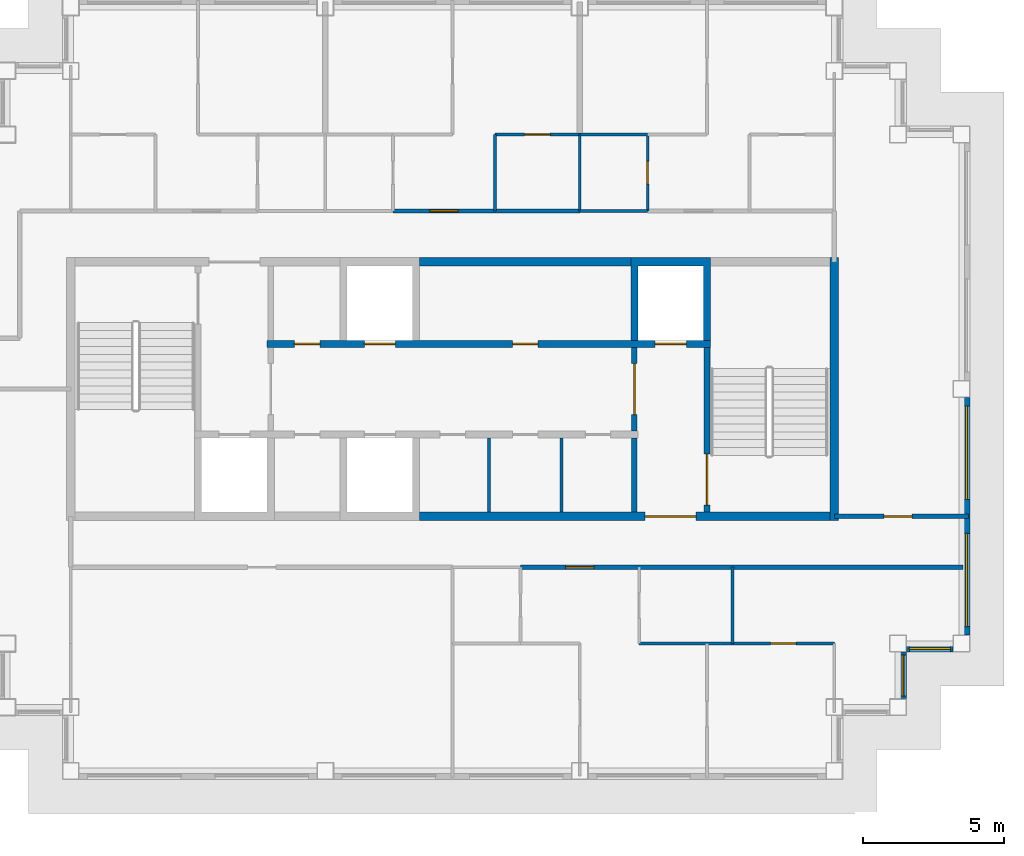
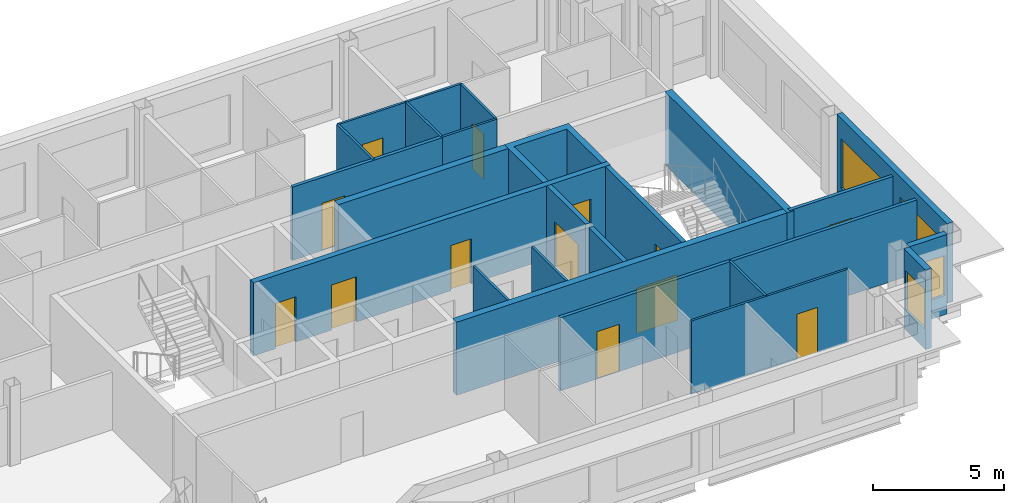
# One storey, part 5 of 11: 24 walls, 13 doors, 4 windows, 17 openings.
"""IFC4 building model written with IfcOpenShell, lengths in metres."""

from ifc_helpers import new_model, si_unit, direction, frame, frame_2d, origin, place, context, subcontext, project, spatial, polyline, rectangle, outline, extrude, material, layer, layer_set, type_object, element, fill, save


model = new_model("IFC4")

# Units and contexts
model_context = context("Model", 3, precision=1e-05, world=origin(), true_north=direction((0.0, 1.0)))
body_context = subcontext(model_context, "Body", "Model", "MODEL_VIEW")
ifc_project = project(units=[si_unit("LENGTHUNIT", "METRE"), si_unit("AREAUNIT", "SQUARE_METRE"), si_unit("VOLUMEUNIT", "CUBIC_METRE"), si_unit("PLANEANGLEUNIT", "RADIAN"), si_unit("MASSUNIT", "GRAM", prefix="KILO")], contexts=[model_context])

# Site, building, storey
site_placement = place(None, origin())
site = spatial("IfcSite", under=ifc_project, at=site_placement, CompositionType="ELEMENT")
building_placement = place(site_placement, origin())
building = spatial("IfcBuilding", under=site, at=building_placement, Name="Caravel Reach Hotel and Residences", CompositionType="ELEMENT")
storey_placement = place(building_placement, frame((0.0, 0.0, 271.199951171875)))
storey = spatial("IfcBuildingStorey", under=building, at=storey_placement, Name="L69", CompositionType="ELEMENT", Elevation=271.199951171875)

# Walls
ifc_material_1 = material(Name="Gypsum board on steel stud", Category="steel")
ifc_layer_1 = layer(ifc_material_1, 0.10009765625)
ifc_layer_set_1 = layer_set([ifc_layer_1], Name="Bathroom pod wall 100 mm")
wall_type_1 = type_object("IfcWallType", Name="Bathroom pod wall 100 mm", PredefinedType="PARTITIONING", material=ifc_layer_set_1)
for number, where, z_axis, x_axis, name in (
    (1, (36.0, 33.300048828125, 0.0), (0.0, 0.0, 1.0), (1.0, 0.0, 0.0), "L69 wall w059"),
    (2, (36.0, 36.0, 0.0), (0.0, 0.0, 1.0), (1.0, 0.0, 0.0), "L69 wall w062"),
):
    element("IfcWall", number, at=place(storey_placement, frame(where, z_axis=z_axis, x_axis=x_axis)), inside=storey, type_object=wall_type_1, Name=name, PredefinedType="PARTITIONING", context=body_context, shape_type="SweptSolid", body=[
        extrude(rectangle(XDim=2.39990234375, YDim=0.10009765625, at=frame_2d((1.199951171875, 0.0))), origin(), (0.0, 0.0, 1.0), 3.400146484375),
    ])
wall_1_placement = place(storey_placement, frame((36.0, 33.300048828125, 0.0), z_axis=(0.0, 0.0, 1.0), x_axis=(0.0, 1.0, 0.0)))
element("IfcWall", 3, at=wall_1_placement, inside=storey, type_object=wall_type_1, Name="L69 wall w068", PredefinedType="PARTITIONING", context=body_context, shape_type="SweptSolid", body=[
    extrude(rectangle(XDim=2.699951171875, YDim=0.10009765625, at=frame_2d((1.35009765625, 0.0))), origin(), (0.0, 0.0, 1.0), 3.400146484375),
])

# Wall, opening, door
wall_2_placement = place(storey_placement, frame((38.39990234375, 33.300048828125, 0.0), z_axis=(0.0, 0.0, 1.0), x_axis=(0.0, 1.0, 0.0)))
wall_2 = element("IfcWall", 4, at=wall_2_placement, inside=storey, type_object=wall_type_1, Name="L69 wall w069", PredefinedType="PARTITIONING", context=body_context, shape_type="SweptSolid", body=[
    extrude(rectangle(XDim=2.699951171875, YDim=0.10009765625, at=frame_2d((1.35009765625, 0.0))), origin(), (0.0, 0.0, 1.0), 3.400146484375),
])
opening_1_placement = place(wall_2_placement, frame((0.949951171875, 0.0, 0.0)))
opening_1 = element("IfcOpeningElement", 5, at=opening_1_placement, cuts=wall_2, Name="Opening D69-026", PredefinedType="OPENING", context=body_context, shape_type="SweptSolid", body=[
    extrude(rectangle(XDim=0.800048828125, YDim=2.10009765625, at=frame_2d((0.39990234375, 1.050048828125))), frame((0.0, 0.06005859375, 0.0), z_axis=(0.0, -1.0, 0.0), x_axis=(1.0, 0.0, 0.0)), (0.0, 0.0, 1.0), 0.1201171875),
])
ifc_material_2 = material(Name="Timber and steel door leaf", Category="steel")
door_type_1 = type_object("IfcDoorType", Name="Bathroom door 800 x 2100", OperationType="SINGLE_SWING_LEFT", PredefinedType="DOOR", material=ifc_material_2)
door_1_placement = place(opening_1_placement, origin())
door_1 = element("IfcDoor", 6, at=door_1_placement, inside=storey, type_object=door_type_1, Name="door D69-026", OperationType="SINGLE_SWING_RIGHT", OverallHeight=2.10009765625, OverallWidth=0.800048828125, PredefinedType="DOOR", context=body_context, shape_type="SweptSolid", body=[
    extrude(rectangle(XDim=0.800048828125, YDim=2.10009765625, at=frame_2d((0.39990234375, 1.050048828125))), frame((0.0, 0.02490234375, 0.0), z_axis=(0.0, -1.0, 0.0), x_axis=(1.0, 0.0, 0.0)), (0.0, 0.0, 1.0), 0.050048828125),
])
fill(opening_1, door_1)

# Wall
ifc_material_3 = material(Name="Autoclaved aerated block wall")
ifc_layer_2 = layer(ifc_material_3, 0.199951171875)
ifc_layer_set_2 = layer_set([ifc_layer_2], Name="Compartment wall 200 mm EI 120")
wall_type_2 = type_object("IfcWallType", Name="Compartment wall 200 mm EI 120", PredefinedType="PARTITIONING", material=ifc_layer_set_2)
wall_3_placement = place(storey_placement, frame((37.928466796875, 22.64990234375, 0.0), z_axis=(0.0, 0.0, 1.0), x_axis=(0.0, 1.0, 0.0)))
element("IfcWall", 7, at=wall_3_placement, inside=storey, type_object=wall_type_2, Name="L69 store partition", PredefinedType="PARTITIONING", context=body_context, shape_type="SweptSolid", body=[
    extrude(rectangle(XDim=2.625, YDim=0.199951171875, at=frame_2d((1.3125, 0.0))), origin(), (0.0, 0.0, 1.0), 3.400146484375),
])

# Wall, opening, door
ifc_material_4 = material(Name="Concrete C60", Category="concrete")
ifc_layer_3 = layer(ifc_material_4, 0.300048828125)
ifc_layer_set_3 = layer_set([ifc_layer_3], Name="Core wall 300 mm EI 120")
wall_type_3 = type_object("IfcWallType", Name="Core wall 300 mm EI 120", PredefinedType="SHEAR", material=ifc_layer_set_3)
wall_4_placement = place(storey_placement, frame((30.33935546875, 22.5, 0.0), z_axis=(0.0, 0.0, 1.0), x_axis=(1.0, 0.0, 0.0)))
wall_4 = element("IfcWall", 8, at=wall_4_placement, inside=storey, type_object=wall_type_3, Name="L69 core wall S3", PredefinedType="SHEAR", context=body_context, shape_type="SweptSolid", body=[
    extrude(rectangle(XDim=14.5107421875, YDim=0.300048828125, at=frame_2d((7.25537109375, 0.0))), origin(), (0.0, 0.0, 1.0), 3.400146484375),
])
opening_2_placement = place(wall_4_placement, frame((7.97509765625, 0.0, 0.0)))
opening_2 = element("IfcOpeningElement", 9, at=opening_2_placement, cuts=wall_4, Name="Opening D69-016", PredefinedType="OPENING", context=body_context, shape_type="SweptSolid", body=[
    extrude(rectangle(XDim=1.800048828125, YDim=2.10009765625, at=frame_2d((0.89990234375, 1.050048828125))), frame((0.0, 0.159912109375, 0.0), z_axis=(0.0, -1.0, 0.0), x_axis=(1.0, 0.0, 0.0)), (0.0, 0.0, 1.0), 0.320068359375),
])
ifc_material_5 = material(Name="Steel fire door leaf", Category="steel")
door_type_2 = type_object("IfcDoorType", Name="Fire lobby door pair 1800 x 2100 EI 90", OperationType="DOUBLE_DOOR_SINGLE_SWING", PredefinedType="DOOR", material=ifc_material_5)
door_2_placement = place(opening_2_placement, origin())
door_2 = element("IfcDoor", 10, at=door_2_placement, inside=storey, type_object=door_type_2, Name="lobby S door pair to corridor", OperationType="DOUBLE_DOOR_SINGLE_SWING", OverallHeight=2.10009765625, OverallWidth=1.800048828125, PredefinedType="DOOR", context=body_context, shape_type="SweptSolid", body=[
    extrude(rectangle(XDim=1.800048828125, YDim=2.10009765625, at=frame_2d((0.89990234375, 1.050048828125))), frame((0.0, 0.02490234375, 0.0), z_axis=(0.0, -1.0, 0.0), x_axis=(1.0, 0.0, 0.0)), (0.0, 0.0, 1.0), 0.050048828125),
])
fill(opening_2, door_2)

# Walls
wall_5_placement = place(storey_placement, frame((30.33935546875, 31.5, 0.0), z_axis=(0.0, 0.0, 1.0), x_axis=(1.0, 0.0, 0.0)))
element("IfcWall", 11, at=wall_5_placement, inside=storey, type_object=wall_type_3, Name="L69 core wall N2", PredefinedType="SHEAR", context=body_context, shape_type="SweptSolid", body=[
    extrude(rectangle(XDim=7.464111328125, YDim=0.300048828125, at=frame_2d((3.73193359375, 0.0))), origin(), (0.0, 0.0, 1.0), 3.400146484375),
])
wall_6_placement = place(storey_placement, frame((45.0, 22.35009765625, 0.0), z_axis=(0.0, 0.0, 1.0), x_axis=(0.0, 1.0, 0.0)))
element("IfcWall", 12, at=wall_6_placement, inside=storey, type_object=wall_type_3, Name="L69 core wall E", PredefinedType="SHEAR", context=body_context, shape_type="SweptSolid", body=[
    extrude(rectangle(XDim=9.2998046875, YDim=0.300048828125, at=frame_2d((4.64990234375, 0.0))), origin(), (0.0, 0.0, 1.0), 3.400146484375),
])

# Wall, opening, door
ifc_material_6 = material(Name="Gypsum board on steel stud, fire-rated", Category="steel")
ifc_layer_4 = layer(ifc_material_6, 0.14990234375)
ifc_layer_set_4 = layer_set([ifc_layer_4], Name="Corridor wall 150 mm EI 60")
wall_type_4 = type_object("IfcWallType", Name="Corridor wall 150 mm EI 60", PredefinedType="PARTITIONING", material=ifc_layer_set_4)
wall_7_placement = place(storey_placement, frame((33.89990234375, 20.699951171875, 0.0), z_axis=(0.0, 0.0, 1.0), x_axis=(1.0, 0.0, 0.0)))
wall_7 = element("IfcWall", 13, at=wall_7_placement, inside=storey, type_object=wall_type_4, Name="L69 wall w002", PredefinedType="PARTITIONING", context=body_context, shape_type="SweptSolid", body=[
    extrude(rectangle(XDim=15.650146484375, YDim=0.14990234375, at=frame_2d((7.8251953125, 0.0))), origin(), (0.0, 0.0, 1.0), 3.400146484375),
])
opening_3_placement = place(wall_7_placement, frame((1.60009765625, 0.0, 0.0)))
opening_3 = element("IfcOpeningElement", 14, at=opening_3_placement, cuts=wall_7, Name="Opening D69-032", PredefinedType="OPENING", context=body_context, shape_type="SweptSolid", body=[
    extrude(rectangle(XDim=1.0, YDim=2.199951171875, at=frame_2d((0.5, 1.10009765625))), frame((0.0, 0.0849609375, 0.0), z_axis=(0.0, -1.0, 0.0), x_axis=(1.0, 0.0, 0.0)), (0.0, 0.0, 1.0), 0.169921875),
])
ifc_material_7 = material(Name="Steel fire door leaf", Category="steel")
door_type_3 = type_object("IfcDoorType", Name="Flat entrance door 1000 x 2200 EI 60", OperationType="SINGLE_SWING_LEFT", PredefinedType="DOOR", material=ifc_material_7)
door_3_placement = place(opening_3_placement, origin())
door_3 = element("IfcDoor", 15, at=door_3_placement, inside=storey, type_object=door_type_3, Name="door D69-032", OperationType="SINGLE_SWING_LEFT", OverallHeight=2.199951171875, OverallWidth=1.0, PredefinedType="DOOR", context=body_context, shape_type="SweptSolid", body=[
    extrude(rectangle(XDim=1.0, YDim=2.199951171875, at=frame_2d((0.5, 1.10009765625))), frame((0.0, 0.02490234375, 0.0), z_axis=(0.0, -1.0, 0.0), x_axis=(1.0, 0.0, 0.0)), (0.0, 0.0, 1.0), 0.050048828125),
])
fill(opening_3, door_3)

wall_8_placement = place(storey_placement, frame((45.0, 22.5, 0.0), z_axis=(0.0, 0.0, 1.0), x_axis=(1.0, 0.0, 0.0)))
wall_8 = element("IfcWall", 16, at=wall_8_placement, inside=storey, type_object=wall_type_4, Name="L69 wall w006", PredefinedType="PARTITIONING", context=body_context, shape_type="SweptSolid", body=[
    extrude(rectangle(XDim=4.739990234375, YDim=0.14990234375, at=frame_2d((2.3701171875, 0.0))), origin(), (0.0, 0.0, 1.0), 3.400146484375),
])
opening_4_placement = place(wall_8_placement, frame((1.75, 0.0, 0.0)))
opening_4 = element("IfcOpeningElement", 17, at=opening_4_placement, cuts=wall_8, Name="Opening D69-039", PredefinedType="OPENING", context=body_context, shape_type="SweptSolid", body=[
    extrude(rectangle(XDim=1.0, YDim=2.10009765625, at=frame_2d((0.5, 1.050048828125))), frame((0.0, 0.0849609375, 0.0), z_axis=(0.0, -1.0, 0.0), x_axis=(1.0, 0.0, 0.0)), (0.0, 0.0, 1.0), 0.169921875),
])
ifc_material_8 = material(Name="Steel fire door leaf", Category="steel")
door_type_4 = type_object("IfcDoorType", Name="Fire door 1000 x 2100 EI 60", OperationType="SINGLE_SWING_LEFT", PredefinedType="DOOR", material=ifc_material_8)
door_4_placement = place(opening_4_placement, origin())
door_4 = element("IfcDoor", 18, at=door_4_placement, inside=storey, type_object=door_type_4, Name="door D69-039", OperationType="SINGLE_SWING_LEFT", OverallHeight=2.10009765625, OverallWidth=1.0, PredefinedType="DOOR", context=body_context, shape_type="SweptSolid", body=[
    extrude(rectangle(XDim=1.0, YDim=2.10009765625, at=frame_2d((0.5, 1.050048828125))), frame((0.0, 0.02490234375, 0.0), z_axis=(0.0, -1.0, 0.0), x_axis=(1.0, 0.0, 0.0)), (0.0, 0.0, 1.0), 0.050048828125),
])
fill(opening_4, door_4)

wall_9_placement = place(storey_placement, frame((29.39990234375, 33.300048828125, 0.0), z_axis=(0.0, 0.0, 1.0), x_axis=(1.0, 0.0, 0.0)))
wall_9 = element("IfcWall", 19, at=wall_9_placement, inside=storey, type_object=wall_type_4, Name="L69 wall w012", PredefinedType="PARTITIONING", context=body_context, shape_type="SweptSolid", body=[
    extrude(rectangle(XDim=6.60009765625, YDim=0.14990234375, at=frame_2d((3.300048828125, 0.0))), origin(), (0.0, 0.0, 1.0), 3.400146484375),
])
opening_5_placement = place(wall_9_placement, frame((1.300048828125, 0.0, 0.0)))
opening_5 = element("IfcOpeningElement", 20, at=opening_5_placement, cuts=wall_9, Name="Opening D69-021", PredefinedType="OPENING", context=body_context, shape_type="SweptSolid", body=[
    extrude(rectangle(XDim=1.0, YDim=2.199951171875, at=frame_2d((0.5, 1.10009765625))), frame((0.0, 0.0849609375, 0.0), z_axis=(0.0, -1.0, 0.0), x_axis=(1.0, 0.0, 0.0)), (0.0, 0.0, 1.0), 0.169921875),
])
door_5_placement = place(opening_5_placement, origin())
door_5 = element("IfcDoor", 21, at=door_5_placement, inside=storey, type_object=door_type_3, Name="door D69-021", OperationType="SINGLE_SWING_LEFT", OverallHeight=2.199951171875, OverallWidth=1.0, PredefinedType="DOOR", context=body_context, shape_type="SweptSolid", body=[
    extrude(rectangle(XDim=1.0, YDim=2.199951171875, at=frame_2d((0.5, 1.10009765625))), frame((0.0, 0.02490234375, 0.0), z_axis=(0.0, -1.0, 0.0), x_axis=(1.0, 0.0, 0.0)), (0.0, 0.0, 1.0), 0.050048828125),
])
fill(opening_5, door_5)

# Wall, opening, window
ifc_material_9 = material(Name="Insulated rainscreen wall, aluminium cladding", Category="aluminium")
ifc_layer_5 = layer(ifc_material_9, 0.25)
ifc_layer_set_5 = layer_set([ifc_layer_5], Name="EW1 Tower rainscreen wall")
wall_type_5 = type_object("IfcWallType", Name="EW1 Tower rainscreen wall", PredefinedType="SOLIDWALL", material=ifc_layer_set_5)
wall_10_placement = place(storey_placement, frame((47.425048828125, 16.050048828125, 0.0), z_axis=(0.0, 0.0, 1.0), x_axis=(0.0, 1.0, 0.0)))
wall_10 = element("IfcWall", 22, at=wall_10_placement, inside=storey, type_object=wall_type_5, Name="External wall L69 E7.1", PredefinedType="SOLIDWALL", context=body_context, shape_type="SweptSolid", body=[
    extrude(rectangle(XDim=1.64990234375, YDim=0.25, at=frame_2d((0.824951171875, 0.0))), origin(), (0.0, 0.0, 1.0), 3.699951171875),
])
opening_6_placement = place(wall_10_placement, frame((0.10009765625, 0.0, 0.89990234375)))
opening_6 = element("IfcOpeningElement", 23, at=opening_6_placement, cuts=wall_10, Name="Opening WN25", PredefinedType="OPENING", context=body_context, shape_type="SweptSolid", body=[
    extrude(rectangle(XDim=1.449951171875, YDim=1.85009765625, at=frame_2d((0.72509765625, 0.925048828125))), frame((0.0, 0.135009765625, 0.0), z_axis=(0.0, -1.0, 0.0), x_axis=(1.0, 0.0, 0.0)), (0.0, 0.0, 1.0), 0.27001953125),
])
ifc_material_10 = material(Name="Dark low-e glazing in black aluminium frame", Category="aluminium")
window_type_1 = type_object("IfcWindowType", Name="Residence bedroom window 1450 x 1850", PartitioningType="SINGLE_PANEL", PredefinedType="WINDOW", material=ifc_material_10)
window_1_placement = place(opening_6_placement, origin())
window_1 = element("IfcWindow", 24, at=window_1_placement, inside=storey, type_object=window_type_1, Name="Window L69 E7.1.1", OverallHeight=1.85009765625, OverallWidth=1.449951171875, PartitioningType="SINGLE_PANEL", PredefinedType="WINDOW", context=body_context, shape_type="SweptSolid", body=[
    extrude(rectangle(XDim=1.449951171875, YDim=1.85009765625, at=frame_2d((0.72509765625, 0.925048828125))), frame((0.0, 0.030029296875, 0.0), z_axis=(0.0, -1.0, 0.0), x_axis=(1.0, 0.0, 0.0)), (0.0, 0.0, 1.0), 0.06005859375),
])
fill(opening_6, window_1)

wall_11_placement = place(storey_placement, frame((47.550048828125, 17.824951171875, 0.0), z_axis=(0.0, 0.0, 1.0), x_axis=(1.0, 0.0, 0.0)))
wall_11 = element("IfcWall", 25, at=wall_11_placement, inside=storey, type_object=wall_type_5, Name="External wall L69 S8.1", PredefinedType="SOLIDWALL", context=body_context, shape_type="SweptSolid", body=[
    extrude(rectangle(XDim=1.64990234375, YDim=0.25, at=frame_2d((0.824951171875, 0.0))), origin(), (0.0, 0.0, 1.0), 3.699951171875),
])
opening_7_placement = place(wall_11_placement, frame((0.10009765625, 0.0, 0.89990234375)))
opening_7 = element("IfcOpeningElement", 26, at=opening_7_placement, cuts=wall_11, Name="Opening WN25", PredefinedType="OPENING", context=body_context, shape_type="SweptSolid", body=[
    extrude(rectangle(XDim=1.449951171875, YDim=1.85009765625, at=frame_2d((0.72509765625, 0.925048828125))), frame((0.0, 0.135009765625, 0.0), z_axis=(0.0, -1.0, 0.0), x_axis=(1.0, 0.0, 0.0)), (0.0, 0.0, 1.0), 0.27001953125),
])
window_2_placement = place(opening_7_placement, origin())
window_2 = element("IfcWindow", 27, at=window_2_placement, inside=storey, type_object=window_type_1, Name="Window L69 S8.1.1", OverallHeight=1.85009765625, OverallWidth=1.449951171875, PartitioningType="SINGLE_PANEL", PredefinedType="WINDOW", context=body_context, shape_type="SweptSolid", body=[
    extrude(rectangle(XDim=1.449951171875, YDim=1.85009765625, at=frame_2d((0.72509765625, 0.925048828125))), frame((0.0, 0.030029296875, 0.0), z_axis=(0.0, -1.0, 0.0), x_axis=(1.0, 0.0, 0.0)), (0.0, 0.0, 1.0), 0.06005859375),
])
fill(opening_7, window_2)

# Wall, openings, windows
wall_12_placement = place(storey_placement, frame((49.675048828125, 18.300048828125, 0.0), z_axis=(0.0, 0.0, 1.0), x_axis=(0.0, 1.0, 0.0)))
wall_12 = element("IfcWall", 28, at=wall_12_placement, inside=storey, type_object=wall_type_5, Name="External wall L69 E9.1", PredefinedType="SOLIDWALL", context=body_context, shape_type="SweptSolid", body=[
    extrude(rectangle(XDim=8.39990234375, YDim=0.25, at=frame_2d((4.199951171875, 0.0))), origin(), (0.0, 0.0, 1.0), 3.699951171875),
])
opening_8_placement = place(wall_12_placement, frame((0.300048828125, 0.0, 0.449951171875)))
opening_8 = element("IfcOpeningElement", 29, at=opening_8_placement, cuts=wall_12, Name="Opening WN15", PredefinedType="OPENING", context=body_context, shape_type="SweptSolid", body=[
    extrude(rectangle(XDim=3.300048828125, YDim=2.300048828125, at=frame_2d((1.64990234375, 1.14990234375))), frame((0.0, 0.135009765625, 0.0), z_axis=(0.0, -1.0, 0.0), x_axis=(1.0, 0.0, 0.0)), (0.0, 0.0, 1.0), 0.27001953125),
])
opening_9_placement = place(wall_12_placement, frame((4.800048828125, 0.0, 0.449951171875)))
opening_9 = element("IfcOpeningElement", 30, at=opening_9_placement, cuts=wall_12, Name="Opening WN15", PredefinedType="OPENING", context=body_context, shape_type="SweptSolid", body=[
    extrude(rectangle(XDim=3.300048828125, YDim=2.300048828125, at=frame_2d((1.64990234375, 1.14990234375))), frame((0.0, 0.135009765625, 0.0), z_axis=(0.0, -1.0, 0.0), x_axis=(1.0, 0.0, 0.0)), (0.0, 0.0, 1.0), 0.27001953125),
])
ifc_material_11 = material(Name="Dark low-e glazing in black aluminium frame", Category="aluminium")
window_type_2 = type_object("IfcWindowType", Name="Residence living window 3300 x 2300", PartitioningType="SINGLE_PANEL", PredefinedType="WINDOW", material=ifc_material_11)
window_3_placement = place(opening_8_placement, origin())
window_3 = element("IfcWindow", 31, at=window_3_placement, inside=storey, type_object=window_type_2, Name="Window L69 E9.1.1", OverallHeight=2.300048828125, OverallWidth=3.300048828125, PartitioningType="SINGLE_PANEL", PredefinedType="WINDOW", context=body_context, shape_type="SweptSolid", body=[
    extrude(rectangle(XDim=3.300048828125, YDim=2.300048828125, at=frame_2d((1.64990234375, 1.14990234375))), frame((0.0, 0.030029296875, 0.0), z_axis=(0.0, -1.0, 0.0), x_axis=(1.0, 0.0, 0.0)), (0.0, 0.0, 1.0), 0.06005859375),
])
fill(opening_8, window_3)
window_4_placement = place(opening_9_placement, origin())
window_4 = element("IfcWindow", 32, at=window_4_placement, inside=storey, type_object=window_type_2, Name="Window L69 E9.1.2", OverallHeight=2.300048828125, OverallWidth=3.300048828125, PartitioningType="SINGLE_PANEL", PredefinedType="WINDOW", context=body_context, shape_type="SweptSolid", body=[
    extrude(rectangle(XDim=3.300048828125, YDim=2.300048828125, at=frame_2d((1.64990234375, 1.14990234375))), frame((0.0, 0.030029296875, 0.0), z_axis=(0.0, -1.0, 0.0), x_axis=(1.0, 0.0, 0.0)), (0.0, 0.0, 1.0), 0.06005859375),
])
fill(opening_9, window_4)

# Wall, opening, door
ifc_material_12 = material(Name="Autoclaved aerated block wall")
ifc_layer_6 = layer(ifc_material_12, 0.199951171875)
ifc_layer_set_6 = layer_set([ifc_layer_6], Name="Fire lobby wall 200 mm EI 120")
wall_type_6 = type_object("IfcWallType", Name="Fire lobby wall 200 mm EI 120", PredefinedType="PARTITIONING", material=ifc_layer_set_6)
wall_13_placement = place(storey_placement, frame((37.928466796875, 25.52490234375, 0.0), z_axis=(0.0, 0.0, 1.0), x_axis=(0.0, 1.0, 0.0)))
wall_13 = element("IfcWall", 33, at=wall_13_placement, inside=storey, type_object=wall_type_6, Name="L69 lobby E wall", PredefinedType="PARTITIONING", context=body_context, shape_type="SweptSolid", body=[
    extrude(rectangle(XDim=2.9501953125, YDim=0.199951171875, at=frame_2d((1.47509765625, 0.0))), origin(), (0.0, 0.0, 1.0), 3.400146484375),
])
opening_10_placement = place(wall_13_placement, frame((0.574951171875, 0.0, 0.0)))
opening_10 = element("IfcOpeningElement", 34, at=opening_10_placement, cuts=wall_13, Name="Opening D69-014", PredefinedType="OPENING", context=body_context, shape_type="SweptSolid", body=[
    extrude(rectangle(XDim=1.800048828125, YDim=2.10009765625, at=frame_2d((0.89990234375, 1.050048828125))), frame((0.0, 0.10986328125, 0.0), z_axis=(0.0, -1.0, 0.0), x_axis=(1.0, 0.0, 0.0)), (0.0, 0.0, 1.0), 0.219970703125),
])
door_6_placement = place(opening_10_placement, origin())
door_6 = element("IfcDoor", 35, at=door_6_placement, inside=storey, type_object=door_type_2, Name="lobby E door pair", OperationType="DOUBLE_DOOR_SINGLE_SWING", OverallHeight=2.10009765625, OverallWidth=1.800048828125, PredefinedType="DOOR", context=body_context, shape_type="SweptSolid", body=[
    extrude(rectangle(XDim=1.800048828125, YDim=2.10009765625, at=frame_2d((0.89990234375, 1.050048828125))), frame((0.0, 0.02490234375, 0.0), z_axis=(0.0, -1.0, 0.0), x_axis=(1.0, 0.0, 0.0)), (0.0, 0.0, 1.0), 0.050048828125),
])
fill(opening_10, door_6)

# Walls
ifc_material_13 = material(Name="Gypsum board on steel stud", Category="steel")
ifc_layer_7 = layer(ifc_material_13, 0.10009765625)
ifc_layer_set_7 = layer_set([ifc_layer_7], Name="Partition 100 mm")
wall_type_7 = type_object("IfcWallType", Name="Partition 100 mm", PredefinedType="PARTITIONING", material=ifc_layer_set_7)
for number, where, z_axis, x_axis, name in (
    (36, (32.78564453125, 22.64990234375, 0.0), (0.0, 0.0, 1.0), (0.0, 1.0, 0.0), "L69 store partition"),
    (37, (35.357177734375, 22.64990234375, 0.0), (0.0, 0.0, 1.0), (0.0, 1.0, 0.0), "L69 store partition"),
):
    element("IfcWall", number, at=place(storey_placement, frame(where, z_axis=z_axis, x_axis=x_axis)), inside=storey, type_object=wall_type_7, Name=name, PredefinedType="PARTITIONING", context=body_context, shape_type="SweptSolid", body=[
        extrude(rectangle(XDim=2.625, YDim=0.10009765625, at=frame_2d((1.3125, 0.0))), origin(), (0.0, 0.0, 1.0), 3.400146484375),
    ])

# Wall, opening, door
wall_14_placement = place(storey_placement, frame((38.10009765625, 18.0, 0.0), z_axis=(0.0, 0.0, 1.0), x_axis=(1.0, 0.0, 0.0)))
wall_14 = element("IfcWall", 38, at=wall_14_placement, inside=storey, type_object=wall_type_7, Name="L69 wall w023", PredefinedType="PARTITIONING", context=body_context, shape_type="SweptSolid", body=[
    extrude(rectangle(XDim=6.89990234375, YDim=0.10009765625, at=frame_2d((3.449951171875, 0.0))), origin(), (0.0, 0.0, 1.0), 3.400146484375),
])
opening_11_placement = place(wall_14_placement, frame((4.650146484375, 0.0, 0.0)))
opening_11 = element("IfcOpeningElement", 39, at=opening_11_placement, cuts=wall_14, Name="Opening D69-035", PredefinedType="OPENING", context=body_context, shape_type="SweptSolid", body=[
    extrude(rectangle(XDim=0.89990234375, YDim=2.10009765625, at=frame_2d((0.449951171875, 1.050048828125))), frame((0.0, 0.06005859375, 0.0), z_axis=(0.0, -1.0, 0.0), x_axis=(1.0, 0.0, 0.0)), (0.0, 0.0, 1.0), 0.1201171875),
])
ifc_material_14 = material(Name="Timber and steel door leaf", Category="steel")
door_type_5 = type_object("IfcDoorType", Name="Door 900 x 2100 timber", OperationType="SINGLE_SWING_LEFT", PredefinedType="DOOR", material=ifc_material_14)
door_7_placement = place(opening_11_placement, origin())
door_7 = element("IfcDoor", 40, at=door_7_placement, inside=storey, type_object=door_type_5, Name="door D69-035", OperationType="SINGLE_SWING_RIGHT", OverallHeight=2.10009765625, OverallWidth=0.89990234375, PredefinedType="DOOR", context=body_context, shape_type="SweptSolid", body=[
    extrude(rectangle(XDim=0.89990234375, YDim=2.10009765625, at=frame_2d((0.449951171875, 1.050048828125))), frame((0.0, 0.02490234375, 0.0), z_axis=(0.0, -1.0, 0.0), x_axis=(1.0, 0.0, 0.0)), (0.0, 0.0, 1.0), 0.050048828125),
])
fill(opening_11, door_7)

wall_15_placement = place(storey_placement, frame((33.0, 36.0, 0.0), z_axis=(0.0, 0.0, 1.0), x_axis=(1.0, 0.0, 0.0)))
wall_15 = element("IfcWall", 41, at=wall_15_placement, inside=storey, type_object=wall_type_7, Name="L69 wall w029", PredefinedType="PARTITIONING", context=body_context, shape_type="SweptSolid", body=[
    extrude(rectangle(XDim=3.0, YDim=0.10009765625, at=frame_2d((1.5, 0.0))), origin(), (0.0, 0.0, 1.0), 3.400146484375),
])
opening_12_placement = place(wall_15_placement, frame((1.050048828125, 0.0, 0.0)))
opening_12 = element("IfcOpeningElement", 42, at=opening_12_placement, cuts=wall_15, Name="Opening D69-023", PredefinedType="OPENING", context=body_context, shape_type="SweptSolid", body=[
    extrude(rectangle(XDim=0.89990234375, YDim=2.10009765625, at=frame_2d((0.449951171875, 1.050048828125))), frame((0.0, 0.06005859375, 0.0), z_axis=(0.0, -1.0, 0.0), x_axis=(1.0, 0.0, 0.0)), (0.0, 0.0, 1.0), 0.1201171875),
])
door_8_placement = place(opening_12_placement, origin())
door_8 = element("IfcDoor", 43, at=door_8_placement, inside=storey, type_object=door_type_5, Name="door D69-023", OperationType="SINGLE_SWING_LEFT", OverallHeight=2.10009765625, OverallWidth=0.89990234375, PredefinedType="DOOR", context=body_context, shape_type="SweptSolid", body=[
    extrude(rectangle(XDim=0.89990234375, YDim=2.10009765625, at=frame_2d((0.449951171875, 1.050048828125))), frame((0.0, 0.02490234375, 0.0), z_axis=(0.0, -1.0, 0.0), x_axis=(1.0, 0.0, 0.0)), (0.0, 0.0, 1.0), 0.050048828125),
])
fill(opening_12, door_8)

# Walls
for number, where, z_axis, x_axis, name in (
    (44, (33.0, 33.300048828125, 0.0), (0.0, 0.0, 1.0), (0.0, 1.0, 0.0), "L69 wall w040"),
    (45, (41.39990234375, 18.0, 0.0), (0.0, 0.0, 1.0), (0.0, 1.0, 0.0), "L69 wall w048"),
):
    element("IfcWall", number, at=place(storey_placement, frame(where, z_axis=z_axis, x_axis=x_axis)), inside=storey, type_object=wall_type_7, Name=name, PredefinedType="PARTITIONING", context=body_context, shape_type="SweptSolid", body=[
        extrude(rectangle(XDim=2.699951171875, YDim=0.10009765625, at=frame_2d((1.35009765625, 0.0))), origin(), (0.0, 0.0, 1.0), 3.400146484375),
    ])
ifc_material_15 = material(Name="Concrete C60", Category="concrete")
ifc_layer_8 = layer(ifc_material_15, 0.25)
ifc_layer_set_8 = layer_set([ifc_layer_8], Name="Shaft wall 250 mm EI 120")
wall_type_8 = type_object("IfcWallType", Name="Shaft wall 250 mm EI 120", PredefinedType="SHEAR", material=ifc_layer_set_8)
wall_16_placement = place(storey_placement, origin())
element("IfcWall", 46, at=wall_16_placement, inside=storey, type_object=wall_type_8, Name="L69 lift shaft wall N2", PredefinedType="SHEAR", context=body_context, shape_type="SweptSolid", body=[
    extrude(outline(polyline([(37.803466796875, 28.72509765625), (38.053466796875, 28.72509765625), (38.053466796875, 31.35009765625), (40.375, 31.35009765625), (40.375, 28.72509765625), (40.625, 28.72509765625), (40.625, 31.64990234375), (37.803466796875, 31.64990234375), (37.803466796875, 28.72509765625)])), origin(), (0.0, 0.0, 1.0), 3.400146484375),
])

# Wall, openings, doors
wall_17_placement = place(storey_placement, frame((24.946533203125, 28.60009765625, 0.0), z_axis=(0.0, 0.0, 1.0), x_axis=(1.0, 0.0, 0.0)))
wall_17 = element("IfcWall", 47, at=wall_17_placement, inside=storey, type_object=wall_type_8, Name="L69 lobby wall N1", PredefinedType="SHEAR", context=body_context, shape_type="SweptSolid", body=[
    extrude(rectangle(XDim=15.678466796875, YDim=0.25, at=frame_2d((7.83935546875, 0.0))), origin(), (0.0, 0.0, 1.0), 3.400146484375),
])
opening_13_placement = place(wall_17_placement, frame((3.43212890625, 0.0, 0.0)))
opening_13 = element("IfcOpeningElement", 48, at=opening_13_placement, cuts=wall_17, Name="Opening D69-002", PredefinedType="OPENING", context=body_context, shape_type="SweptSolid", body=[
    extrude(rectangle(XDim=1.10009765625, YDim=2.10009765625, at=frame_2d((0.550048828125, 1.050048828125))), frame((0.0, 0.135009765625, 0.0), z_axis=(0.0, -1.0, 0.0), x_axis=(1.0, 0.0, 0.0)), (0.0, 0.0, 1.0), 0.27001953125),
])
opening_14_placement = place(wall_17_placement, frame((13.718017578125, 0.0, 0.0)))
opening_14 = element("IfcOpeningElement", 49, at=opening_14_placement, cuts=wall_17, Name="Opening D69-004", PredefinedType="OPENING", context=body_context, shape_type="SweptSolid", body=[
    extrude(rectangle(XDim=1.10009765625, YDim=2.10009765625, at=frame_2d((0.550048828125, 1.050048828125))), frame((0.0, 0.135009765625, 0.0), z_axis=(0.0, -1.0, 0.0), x_axis=(1.0, 0.0, 0.0)), (0.0, 0.0, 1.0), 0.27001953125),
])
opening_15_placement = place(wall_17_placement, frame((0.960693359375, 0.0, 0.0)))
opening_15 = element("IfcOpeningElement", 50, at=opening_15_placement, cuts=wall_17, Name="Opening D69-009", PredefinedType="OPENING", context=body_context, shape_type="SweptSolid", body=[
    extrude(rectangle(XDim=0.89990234375, YDim=2.10009765625, at=frame_2d((0.449951171875, 1.050048828125))), frame((0.0, 0.135009765625, 0.0), z_axis=(0.0, -1.0, 0.0), x_axis=(1.0, 0.0, 0.0)), (0.0, 0.0, 1.0), 0.27001953125),
])
opening_16_placement = place(wall_17_placement, frame((8.675048828125, 0.0, 0.0)))
opening_16 = element("IfcOpeningElement", 51, at=opening_16_placement, cuts=wall_17, Name="Opening D69-010", PredefinedType="OPENING", context=body_context, shape_type="SweptSolid", body=[
    extrude(rectangle(XDim=0.89990234375, YDim=2.10009765625, at=frame_2d((0.449951171875, 1.050048828125))), frame((0.0, 0.135009765625, 0.0), z_axis=(0.0, -1.0, 0.0), x_axis=(1.0, 0.0, 0.0)), (0.0, 0.0, 1.0), 0.27001953125),
])
ifc_material_16 = material(Name="Stainless steel landing door", Category="steel")
door_type_6 = type_object("IfcDoorType", Name="Landing door LD 1100 x 2100 sliding", OperationType="DOUBLE_DOOR_SLIDING", PredefinedType="DOOR", material=ifc_material_16)
door_9_placement = place(opening_13_placement, origin())
door_9 = element("IfcDoor", 52, at=door_9_placement, inside=storey, type_object=door_type_6, Name="HP2 landing door", OperationType="DOUBLE_DOOR_SLIDING", OverallHeight=2.10009765625, OverallWidth=1.10009765625, PredefinedType="DOOR", context=body_context, shape_type="SweptSolid", body=[
    extrude(rectangle(XDim=1.10009765625, YDim=2.10009765625, at=frame_2d((0.550048828125, 1.050048828125))), frame((0.0, 0.02490234375, 0.0), z_axis=(0.0, -1.0, 0.0), x_axis=(1.0, 0.0, 0.0)), (0.0, 0.0, 1.0), 0.050048828125),
])
fill(opening_13, door_9)
door_10_placement = place(opening_14_placement, origin())
door_10 = element("IfcDoor", 53, at=door_10_placement, inside=storey, type_object=door_type_6, Name="FL2 landing door", OperationType="DOUBLE_DOOR_SLIDING", OverallHeight=2.10009765625, OverallWidth=1.10009765625, PredefinedType="DOOR", context=body_context, shape_type="SweptSolid", body=[
    extrude(rectangle(XDim=1.10009765625, YDim=2.10009765625, at=frame_2d((0.550048828125, 1.050048828125))), frame((0.0, 0.02490234375, 0.0), z_axis=(0.0, -1.0, 0.0), x_axis=(1.0, 0.0, 0.0)), (0.0, 0.0, 1.0), 0.050048828125),
])
fill(opening_14, door_10)
ifc_material_17 = material(Name="Steel fire door leaf", Category="steel")
door_type_7 = type_object("IfcDoorType", Name="Riser door 900 x 2100 EI 60", OperationType="SINGLE_SWING_LEFT", PredefinedType="DOOR", material=ifc_material_17)
door_11_placement = place(opening_15_placement, origin())
door_11 = element("IfcDoor", 54, at=door_11_placement, inside=storey, type_object=door_type_7, Name="Cleaners' room door", OperationType="SINGLE_SWING_LEFT", OverallHeight=2.10009765625, OverallWidth=0.89990234375, PredefinedType="DOOR", context=body_context, shape_type="SweptSolid", body=[
    extrude(rectangle(XDim=0.89990234375, YDim=2.10009765625, at=frame_2d((0.449951171875, 1.050048828125))), frame((0.0, 0.02490234375, 0.0), z_axis=(0.0, -1.0, 0.0), x_axis=(1.0, 0.0, 0.0)), (0.0, 0.0, 1.0), 0.050048828125),
])
fill(opening_15, door_11)
door_12_placement = place(opening_16_placement, origin())
door_12 = element("IfcDoor", 55, at=door_12_placement, inside=storey, type_object=door_type_7, Name="Electrical riser room door", OperationType="SINGLE_SWING_LEFT", OverallHeight=2.10009765625, OverallWidth=0.89990234375, PredefinedType="DOOR", context=body_context, shape_type="SweptSolid", body=[
    extrude(rectangle(XDim=0.89990234375, YDim=2.10009765625, at=frame_2d((0.449951171875, 1.050048828125))), frame((0.0, 0.02490234375, 0.0), z_axis=(0.0, -1.0, 0.0), x_axis=(1.0, 0.0, 0.0)), (0.0, 0.0, 1.0), 0.050048828125),
])
fill(opening_16, door_12)

# Wall, opening, door
ifc_material_18 = material(Name="Concrete C60", Category="concrete")
ifc_layer_9 = layer(ifc_material_18, 0.199951171875)
ifc_layer_set_9 = layer_set([ifc_layer_9], Name="Stair enclosure wall 200 mm EI 120")
wall_type_9 = type_object("IfcWallType", Name="Stair enclosure wall 200 mm EI 120", PredefinedType="SHEAR", material=ifc_layer_set_9)
wall_18_placement = place(storey_placement, frame((40.5, 22.64990234375, 0.0), z_axis=(0.0, 0.0, 1.0), x_axis=(0.0, 1.0, 0.0)))
wall_18 = element("IfcWall", 56, at=wall_18_placement, inside=storey, type_object=wall_type_9, Name="L69 stair B wall", PredefinedType="SHEAR", context=body_context, shape_type="SweptSolid", body=[
    extrude(rectangle(XDim=5.8251953125, YDim=0.199951171875, at=frame_2d((2.91259765625, 0.0))), origin(), (0.0, 0.0, 1.0), 3.400146484375),
])
opening_17_placement = place(wall_18_placement, frame((0.25, 0.0, 0.0)))
opening_17 = element("IfcOpeningElement", 57, at=opening_17_placement, cuts=wall_18, Name="Opening D69-012", PredefinedType="OPENING", context=body_context, shape_type="SweptSolid", body=[
    extrude(rectangle(XDim=1.800048828125, YDim=2.10009765625, at=frame_2d((0.89990234375, 1.050048828125))), frame((0.0, 0.10986328125, 0.0), z_axis=(0.0, -1.0, 0.0), x_axis=(1.0, 0.0, 0.0)), (0.0, 0.0, 1.0), 0.219970703125),
])
ifc_material_19 = material(Name="Steel fire door leaf", Category="steel")
door_type_8 = type_object("IfcDoorType", Name="Stair door pair 1800 x 2100 EI 90", OperationType="DOUBLE_DOOR_SINGLE_SWING", PredefinedType="DOOR", material=ifc_material_19)
door_13_placement = place(opening_17_placement, origin())
door_13 = element("IfcDoor", 58, at=door_13_placement, inside=storey, type_object=door_type_8, Name="stair B door pair", OperationType="DOUBLE_DOOR_SINGLE_SWING", OverallHeight=2.10009765625, OverallWidth=1.800048828125, PredefinedType="DOOR", context=body_context, shape_type="SweptSolid", body=[
    extrude(rectangle(XDim=1.800048828125, YDim=2.10009765625, at=frame_2d((0.89990234375, 1.050048828125))), frame((0.0, 0.02490234375, 0.0), z_axis=(0.0, -1.0, 0.0), x_axis=(1.0, 0.0, 0.0)), (0.0, 0.0, 1.0), 0.050048828125),
])
fill(opening_17, door_13)

save(model, "model.ifc")
